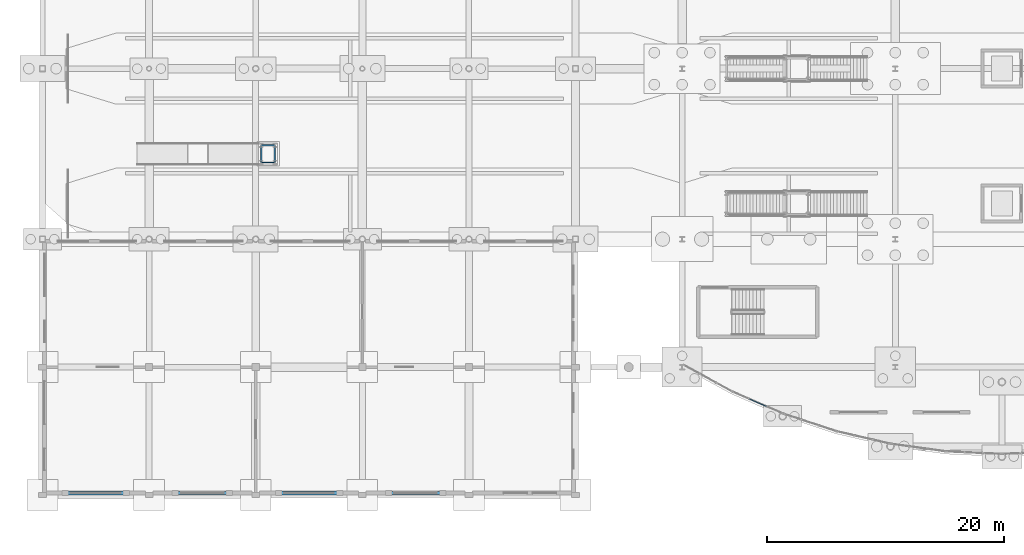
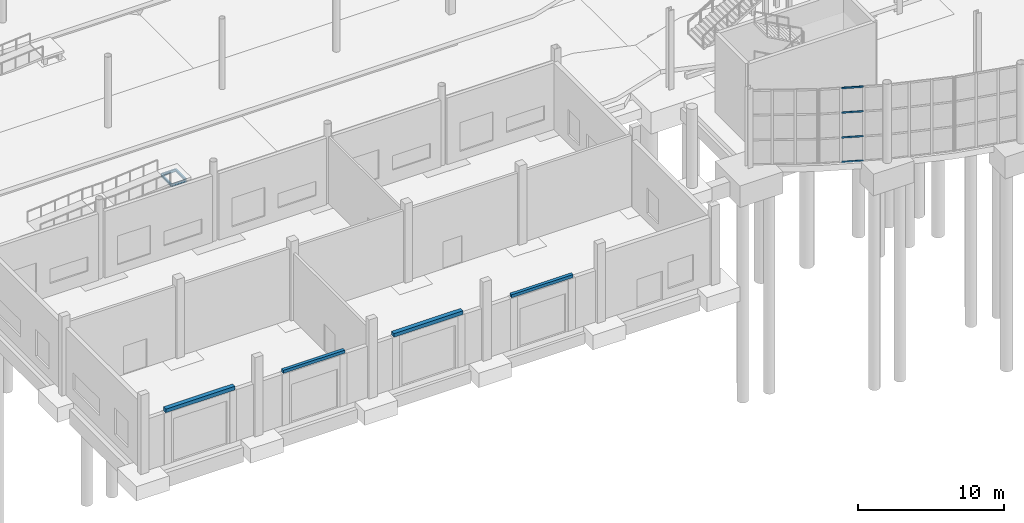
# One storey, part 39 of 115: 8 beams, 4 members, 1 element without a shape of its own.
"""IFC4 building model written with IfcOpenShell, lengths in metres."""

from ifc_helpers import new_model, si_unit, direction, frame, origin, origin_2d, place, context, subcontext, project, spatial, rectangle, hollow_rectangle, i_section, extrude, material, layer, layer_set, material_profile, profile_set, type_object, element, aggregate, save


model = new_model("IFC4")

# Units and contexts
model_context = context("Model", 3, precision=1e-05, world=origin(), true_north=direction((0.0, 1.0)))
body_context = subcontext(model_context, "Body", "Model", "MODEL_VIEW")
ifc_project = project(units=[si_unit("LENGTHUNIT", "METRE"), si_unit("AREAUNIT", "SQUARE_METRE"), si_unit("VOLUMEUNIT", "CUBIC_METRE"), si_unit("PLANEANGLEUNIT", "RADIAN"), si_unit("MASSUNIT", "GRAM", prefix="KILO")], contexts=[model_context])

# Site, building, storey
site_placement = place(None, origin())
site = spatial("IfcSite", under=ifc_project, at=site_placement, CompositionType="ELEMENT")
building_placement = place(site_placement, origin())
building = spatial("IfcBuilding", under=site, at=building_placement, Name="Tamarisk Ironworks Central Station", CompositionType="ELEMENT")
storey_placement = place(building_placement, origin())
storey = spatial("IfcBuildingStorey", under=building, at=storey_placement, Name="L00", CompositionType="ELEMENT", Elevation=0.0)

# Beams
ifc_material_1 = material(Name="Structural steel S355J2", Category="steel")
ifc_material_profile_1 = material_profile(ifc_material_1, i_section(OverallWidth=0.110107421875, OverallDepth=0.219970703125, WebThickness=0.005859375, FlangeThickness=0.00927734375, at=origin_2d()), Name="IPE 220")
ifc_profile_set_1 = profile_set([ifc_material_profile_1], Name="Structural steel S355J2")
beam_type_1 = type_object("IfcBeamType", Name="BM-J02", PredefinedType="JOIST", material=ifc_profile_set_1)
for number, where, z_axis, x_axis, name in (
    (1, (18.4599609375, 28.080078125, 0.39990234375), (1.0, 0.0, 0.0), (0.0, 1.0, 0.0), "RMP-P1W arrival landing tie beam 1"),
    (2, (18.4599609375, 29.52001953125, 0.39990234375), (1.0, 0.0, 0.0), (0.0, 1.0, 0.0), "RMP-P1W arrival landing tie beam 2"),
):
    element("IfcBeam", number, at=place(storey_placement, frame(where, z_axis=z_axis, x_axis=x_axis)), inside=storey, type_object=beam_type_1, Name=name, PredefinedType="JOIST", context=body_context, shape_type="SweptSolid", body=[
        extrude(i_section(OverallWidth=0.110107421875, OverallDepth=0.219970703125, WebThickness=0.005859375, FlangeThickness=0.00927734375, at=origin_2d()), origin(), (0.0, 0.0, 1.0), 1.16015625),
    ])
for number, where, z_axis, x_axis, name in (
    (3, (18.4599609375, 28.080078125, 0.39990234375), (0.0, 1.0, 0.0), (-1.0, 0.0, 0.0), "RMP-P1W arrival landing tie beam 3"),
    (4, (19.6201171875, 28.080078125, 0.39990234375), (0.0, 1.0, 0.0), (-1.0, 0.0, 0.0), "RMP-P1W arrival landing tie beam 4"),
):
    element("IfcBeam", number, at=place(storey_placement, frame(where, z_axis=z_axis, x_axis=x_axis)), inside=storey, type_object=beam_type_1, Name=name, PredefinedType="JOIST", context=body_context, shape_type="SweptSolid", body=[
        extrude(i_section(OverallWidth=0.110107421875, OverallDepth=0.219970703125, WebThickness=0.005859375, FlangeThickness=0.00927734375, at=origin_2d()), origin(), (0.0, 0.0, 1.0), 1.43994140625),
    ])
ifc_material_2 = material(Name="Precast concrete C45/55", Category="concrete")
ifc_material_profile_2 = material_profile(ifc_material_2, rectangle(XDim=0.340087890625, YDim=0.300048828125, at=origin_2d()), Name="PC LINTEL 340x300")
ifc_profile_set_2 = profile_set([ifc_material_profile_2], Name="Precast concrete C45/55")
beam_type_2 = type_object("IfcBeamType", Name="BM-LIN01", PredefinedType="LINTEL", material=ifc_profile_set_2)
for number, where, z_axis, x_axis, name in (
    (5, (1.77490234375, 0.169921875, 4.449951171875), (1.0, 0.0, 0.0), (0.0, 1.0, 0.0), "Precast concrete shutter lintel 01"),
    (6, (19.77490234375, 0.169921875, 4.449951171875), (1.0, 0.0, 0.0), (0.0, 1.0, 0.0), "Precast concrete shutter lintel 03"),
):
    element("IfcBeam", number, at=place(storey_placement, frame(where, z_axis=z_axis, x_axis=x_axis)), inside=storey, type_object=beam_type_2, Name=name, PredefinedType="LINTEL", context=body_context, shape_type="SweptSolid", body=[
        extrude(rectangle(XDim=0.340087890625, YDim=0.300048828125, at=origin_2d()), origin(), (0.0, 0.0, 1.0), 5.4501953125),
    ])
ifc_material_profile_3 = material_profile(ifc_material_2, rectangle(XDim=0.25, YDim=0.25, at=origin_2d()), Name="PC LINTEL 250x250")
ifc_profile_set_3 = profile_set([ifc_material_profile_3], Name="Precast concrete C45/55")
beam_type_3 = type_object("IfcBeamType", Name="BM-LIN02", PredefinedType="LINTEL", material=ifc_profile_set_3)
for number, where, z_axis, x_axis, name in (
    (7, (11.074951171875, 0.169921875, 4.425048828125), (1.0, 0.0, 0.0), (0.0, 1.0, 0.0), "Precast concrete shutter lintel 02"),
    (8, (29.074951171875, 0.169921875, 4.425048828125), (1.0, 0.0, 0.0), (0.0, 1.0, 0.0), "Precast concrete shutter lintel 04"),
):
    element("IfcBeam", number, at=place(storey_placement, frame(where, z_axis=z_axis, x_axis=x_axis)), inside=storey, type_object=beam_type_3, Name=name, PredefinedType="LINTEL", context=body_context, shape_type="SweptSolid", body=[
        extrude(rectangle(XDim=0.25, YDim=0.25, at=origin_2d()), origin(), (0.0, 0.0, 1.0), 4.85009765625),
    ])

# Curtain wall, members
ifc_material_3 = material(Name="Anodized aluminium alloy 6063-T6", Category="aluminium")
ifc_layer = layer(ifc_material_3, 0.179931640625)
ifc_layer_set = layer_set([ifc_layer], Name="Anodized aluminium alloy 6063-T6")
curtain_wall_type = type_object("IfcCurtainWallType", Name="CW-01", PredefinedType="USERDEFINED", material=ifc_layer_set)
curtain_wall_placement = place(storey_placement, origin())
curtain_wall = element("IfcCurtainWall", 9, at=curtain_wall_placement, inside=storey, type_object=curtain_wall_type, Name="SN rounded entrance hall L00 curtain wall bay 02", ObjectType="GLAZED CURTAIN WALL", PredefinedType="USERDEFINED")
ifc_material_profile_4 = material_profile(ifc_material_3, hollow_rectangle(XDim=0.06494140625, YDim=0.135009765625, WallThickness=0.00341796875, at=origin_2d()), Name="ALUM 135x65")
ifc_profile_set_4 = profile_set([ifc_material_profile_4], Name="Anodized aluminium alloy 6063-T6")
member_type = type_object("IfcMemberType", Name="CWT-02", PredefinedType="USERDEFINED", material=ifc_profile_set_4)
member_1_placement = place(storey_placement, frame((59.714111328125, 8.091064453125, 0.032470703125), z_axis=(0.917323881544, -0.398141804322, 0.0), x_axis=(0.398141804322, 0.917323881544, 0.0)))
member_1 = element("IfcMember", 10, at=member_1_placement, type_object=member_type, Name="CW01 transom 2.1", ObjectType="TRANSOM", PredefinedType="USERDEFINED", context=body_context, shape_type="SweptSolid", body=[
    extrude(hollow_rectangle(XDim=0.06494140625, YDim=0.135009765625, WallThickness=0.00341796875, at=origin_2d()), origin(), (0.0, 0.0, 1.0), 1.5126953125),
])
member_2_placement = place(storey_placement, frame((59.714111328125, 8.091064453125, 2.0732421875), z_axis=(0.917323881544, -0.398141804322, 0.0), x_axis=(0.398141804322, 0.917323881544, 0.0)))
member_2 = element("IfcMember", 11, at=member_2_placement, type_object=member_type, Name="CW01 transom 2.2", ObjectType="TRANSOM", PredefinedType="USERDEFINED", context=body_context, shape_type="SweptSolid", body=[
    extrude(hollow_rectangle(XDim=0.06494140625, YDim=0.135009765625, WallThickness=0.00341796875, at=origin_2d()), origin(), (0.0, 0.0, 1.0), 1.5126953125),
])
member_3_placement = place(storey_placement, frame((59.714111328125, 8.091064453125, 4.146728515625), z_axis=(0.917323881544, -0.398141804322, 0.0), x_axis=(0.398141804322, 0.917323881544, 0.0)))
member_3 = element("IfcMember", 12, at=member_3_placement, type_object=member_type, Name="CW01 transom 2.3", ObjectType="TRANSOM", PredefinedType="USERDEFINED", context=body_context, shape_type="SweptSolid", body=[
    extrude(hollow_rectangle(XDim=0.06494140625, YDim=0.135009765625, WallThickness=0.00341796875, at=origin_2d()), origin(), (0.0, 0.0, 1.0), 1.5126953125),
])
member_4_placement = place(storey_placement, frame((59.714111328125, 8.091064453125, 6.1875), z_axis=(0.917323881544, -0.398141804322, 0.0), x_axis=(0.398141804322, 0.917323881544, 0.0)))
member_4 = element("IfcMember", 13, at=member_4_placement, type_object=member_type, Name="CW01 transom 2.4", ObjectType="TRANSOM", PredefinedType="USERDEFINED", context=body_context, shape_type="SweptSolid", body=[
    extrude(hollow_rectangle(XDim=0.06494140625, YDim=0.135009765625, WallThickness=0.00341796875, at=origin_2d()), origin(), (0.0, 0.0, 1.0), 1.5126953125),
])
aggregate(curtain_wall, [member_1, member_2, member_3, member_4])

save(model, "model.ifc")
